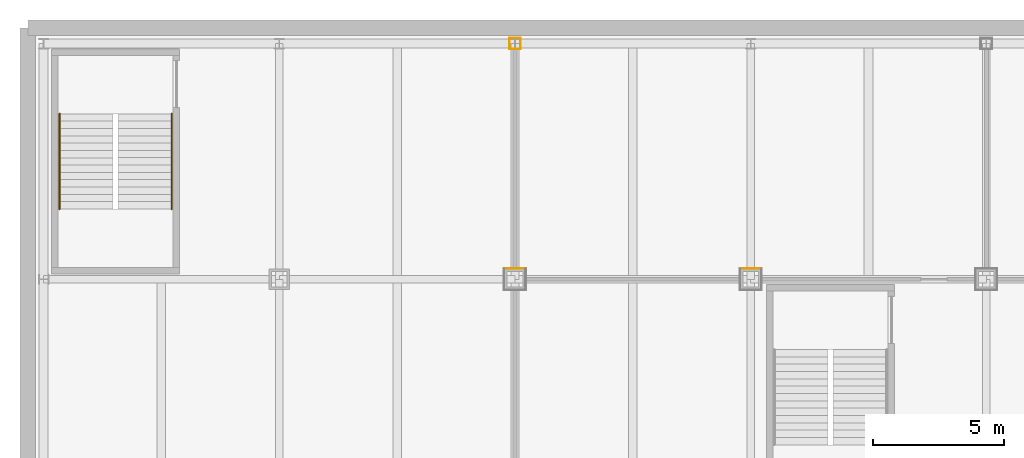
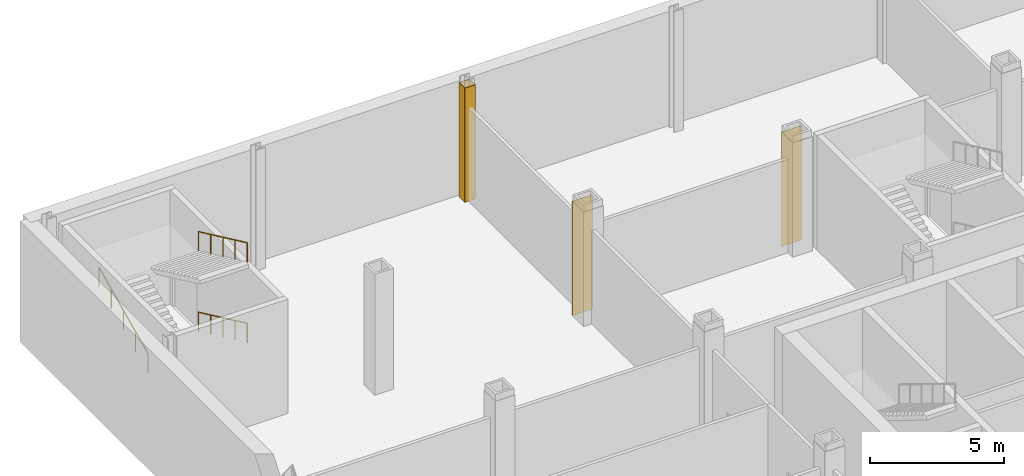
# One storey, part 24 of 27: 6 coverings, 3 railings.
"""IFC4 building model written with IfcOpenShell, lengths in metres."""

from ifc_helpers import new_model, si_unit, direction, frame, origin, origin_2d, place, context, subcontext, project, spatial, rectangle, circle, extrude, material, layer, layer_set, type_object, element, save


model = new_model("IFC4")

# Units and contexts
model_context = context("Model", 3, precision=1e-05, world=origin(), true_north=direction((0.0, 1.0)))
body_context = subcontext(model_context, "Body", "Model", "MODEL_VIEW")
ifc_project = project(units=[si_unit("LENGTHUNIT", "METRE"), si_unit("AREAUNIT", "SQUARE_METRE"), si_unit("VOLUMEUNIT", "CUBIC_METRE"), si_unit("PLANEANGLEUNIT", "RADIAN"), si_unit("MASSUNIT", "GRAM", prefix="KILO")], contexts=[model_context])

# Site, building, storey
site_placement = place(None, origin())
site = spatial("IfcSite", under=ifc_project, at=site_placement, CompositionType="ELEMENT")
building_placement = place(site_placement, origin())
building = spatial("IfcBuilding", under=site, at=building_placement, Name="Loomwork Tower", CompositionType="ELEMENT")
storey_placement = place(building_placement, frame((0.0, 0.0, -5.5)))
storey = spatial("IfcBuildingStorey", under=building, at=storey_placement, Name="B1", CompositionType="ELEMENT", Elevation=-5.5)

# Coverings
ifc_material_1 = material(Name="Two-hour fire-rated gypsum board casing")
ifc_layer = layer(ifc_material_1, 0.02490234375)
ifc_layer_set = layer_set([ifc_layer], Name="Column fire casing 25")
covering_type = type_object("IfcCoveringType", Name="Column fire casing 25", PredefinedType="CLADDING", material=ifc_layer_set)
covering_1_placement = place(storey_placement, frame((9.0, 36.41259765625, 0.0), z_axis=(0.0, 0.0, 1.0), x_axis=(1.0, 0.0, 0.0)))
element("IfcCovering", 1, at=covering_1_placement, inside=storey, type_object=covering_type, Name="Column casing 9 36 B1", PredefinedType="CLADDING", context=body_context, shape_type="SweptSolid", body=[
    extrude(rectangle(XDim=0.85009765625, YDim=0.02490234375, at=origin_2d()), origin(), (0.0, 0.0, 1.0), 5.199951171875),
])
for number, where, z_axis, x_axis, name in (
    (2, (9.0, 45.2119140625, 0.0), (0.0, 0.0, 1.0), (1.0, 0.0, 0.0), "Column casing 9 45 B1"),
    (3, (9.0, 44.7880859375, 0.0), (0.0, 0.0, 1.0), (1.0, 0.0, 0.0), "Column casing 9 45 B1"),
):
    element("IfcCovering", number, at=place(storey_placement, frame(where, z_axis=z_axis, x_axis=x_axis)), inside=storey, type_object=covering_type, Name=name, PredefinedType="CLADDING", context=body_context, shape_type="SweptSolid", body=[
        extrude(rectangle(XDim=0.451416015625, YDim=0.02490234375, at=origin_2d()), origin(), (0.0, 0.0, 1.0), 5.199951171875),
    ])
for number, where, z_axis, x_axis, name in (
    (4, (9.213134765625, 45.0, 0.0), (0.0, 0.0, 1.0), (1.0, 0.0, 0.0), "Column casing 9 45 B1"),
    (5, (8.786865234375, 45.0, 0.0), (0.0, 0.0, 1.0), (1.0, 0.0, 0.0), "Column casing 9 45 B1"),
):
    element("IfcCovering", number, at=place(storey_placement, frame(where, z_axis=z_axis, x_axis=x_axis)), inside=storey, type_object=covering_type, Name=name, PredefinedType="CLADDING", context=body_context, shape_type="SweptSolid", body=[
        extrude(rectangle(XDim=0.02490234375, YDim=0.398681640625, at=origin_2d()), origin(), (0.0, 0.0, 1.0), 5.199951171875),
    ])
covering_2_placement = place(storey_placement, frame((18.0, 36.41259765625, 0.0), z_axis=(0.0, 0.0, 1.0), x_axis=(1.0, 0.0, 0.0)))
element("IfcCovering", 6, at=covering_2_placement, inside=storey, type_object=covering_type, Name="Column casing 18 36 B1", PredefinedType="CLADDING", context=body_context, shape_type="SweptSolid", body=[
    extrude(rectangle(XDim=0.85009765625, YDim=0.02490234375, at=origin_2d()), origin(), (0.0, 0.0, 1.0), 5.199951171875),
])

# Railings
ifc_material_2 = material(Name="Stainless steel handrail", Category="steel")
railing_type = type_object("IfcRailingType", Name="Handrail 900", PredefinedType="HANDRAIL", material=ifc_material_2)
railing_1_placement = place(storey_placement, frame((-4.110107421875, 42.320068359375, 0.131103515625)))
element("IfcRailing", 7, at=railing_1_placement, inside=storey, type_object=railing_type, Name="Podium stair PS3 handrail flight 1 B1", PredefinedType="HANDRAIL", context=body_context, shape_type="SweptSolid", body=[
    extrude(circle(Radius=0.02392578125, at=origin_2d()), frame((0.0, 0.0, 0.8759765625), z_axis=(0.0, -0.905856922506, 0.423583800383), x_axis=(1.0, 0.0, 0.0)), (0.0, 0.0, 1.0), 4.0185546875),
    extrude(circle(Radius=0.02099609375, at=origin_2d()), origin(), (0.0, 0.0, 1.0), 0.851806640625),
    extrude(circle(Radius=0.02099609375, at=origin_2d()), frame((0.0, -0.91015625, 0.425537109375)), (0.0, 0.0, 1.0), 0.851806640625),
    extrude(circle(Radius=0.02099609375, at=origin_2d()), frame((0.0, -1.820068359375, 0.85107421875)), (0.0, 0.0, 1.0), 0.851806640625),
    extrude(circle(Radius=0.02099609375, at=origin_2d()), frame((0.0, -2.72998046875, 1.276611328125)), (0.0, 0.0, 1.0), 0.851806640625),
    extrude(circle(Radius=0.02099609375, at=origin_2d()), frame((0.0, -3.64013671875, 1.7021484375)), (0.0, 0.0, 1.0), 0.851806640625),
])
railing_2_placement = place(storey_placement, frame((-8.389892578125, 38.679931640625, 1.96435546875)))
element("IfcRailing", 8, at=railing_2_placement, inside=storey, type_object=railing_type, Name="Podium stair PS3 handrail flight 2 B1", PredefinedType="HANDRAIL", context=body_context, shape_type="SweptSolid", body=[
    extrude(circle(Radius=0.02392578125, at=origin_2d()), frame((0.0, 0.0, 0.8759765625), z_axis=(0.0, 0.905856922506, 0.423583800383), x_axis=(-1.0, 0.0, 0.0)), (0.0, 0.0, 1.0), 4.0185546875),
    extrude(circle(Radius=0.02099609375, at=origin_2d()), origin(), (0.0, 0.0, 1.0), 0.851806640625),
    extrude(circle(Radius=0.02099609375, at=origin_2d()), frame((0.0, 0.91015625, 0.425537109375)), (0.0, 0.0, 1.0), 0.851806640625),
    extrude(circle(Radius=0.02099609375, at=origin_2d()), frame((0.0, 1.820068359375, 0.85107421875)), (0.0, 0.0, 1.0), 0.851806640625),
    extrude(circle(Radius=0.02099609375, at=origin_2d()), frame((0.0, 2.72998046875, 1.276611328125)), (0.0, 0.0, 1.0), 0.851806640625),
    extrude(circle(Radius=0.02099609375, at=origin_2d()), frame((0.0, 3.64013671875, 1.7021484375)), (0.0, 0.0, 1.0), 0.851806640625),
])
railing_3_placement = place(storey_placement, frame((-4.110107421875, 42.320068359375, 3.797607421875)))
element("IfcRailing", 9, at=railing_3_placement, inside=storey, type_object=railing_type, Name="Podium stair PS3 handrail flight 3 B1", PredefinedType="HANDRAIL", context=body_context, shape_type="SweptSolid", body=[
    extrude(circle(Radius=0.02392578125, at=origin_2d()), frame((0.0, 0.0, 0.8759765625), z_axis=(0.0, -0.905833609661, 0.423633652593), x_axis=(1.0, 0.0, 0.0)), (0.0, 0.0, 1.0), 4.0185546875),
    extrude(circle(Radius=0.02099609375, at=origin_2d()), origin(), (0.0, 0.0, 1.0), 0.851806640625),
    extrude(circle(Radius=0.02099609375, at=origin_2d()), frame((0.0, -0.91015625, 0.425537109375)), (0.0, 0.0, 1.0), 0.851806640625),
    extrude(circle(Radius=0.02099609375, at=origin_2d()), frame((0.0, -1.820068359375, 0.85107421875)), (0.0, 0.0, 1.0), 0.851806640625),
    extrude(circle(Radius=0.02099609375, at=origin_2d()), frame((0.0, -2.72998046875, 1.27685546875)), (0.0, 0.0, 1.0), 0.851806640625),
    extrude(circle(Radius=0.02099609375, at=origin_2d()), frame((0.0, -3.64013671875, 1.702392578125)), (0.0, 0.0, 1.0), 0.851806640625),
])

save(model, "model.ifc")
